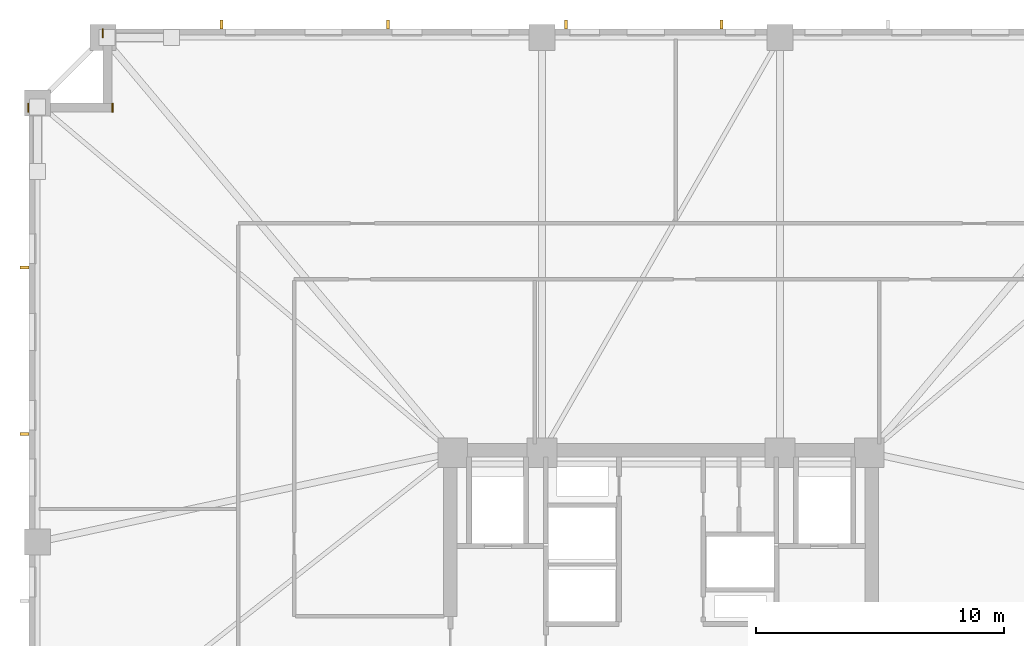
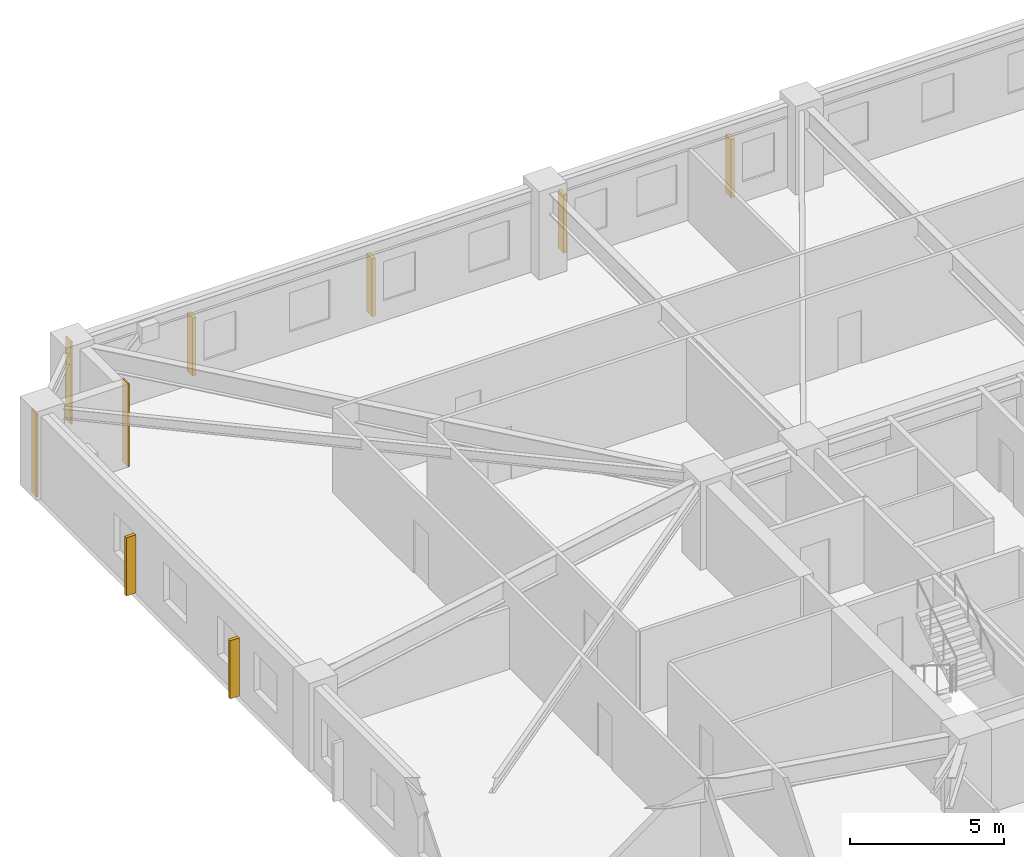
# One storey, part 9 of 10: 6 shading devices, 3 coverings.
"""IFC4 building model written with IfcOpenShell, lengths in metres."""

from ifc_helpers import new_model, si_unit, direction, frame, frame_2d, origin, origin_2d, place, context, subcontext, project, spatial, rectangle, extrude, material, layer, layer_set, type_object, element, save


model = new_model("IFC4")

# Units and contexts
model_context = context("Model", 3, precision=1e-05, world=origin(), true_north=direction((0.0, 1.0)))
body_context = subcontext(model_context, "Body", "Model", "MODEL_VIEW")
ifc_project = project(units=[si_unit("LENGTHUNIT", "METRE"), si_unit("AREAUNIT", "SQUARE_METRE"), si_unit("VOLUMEUNIT", "CUBIC_METRE"), si_unit("PLANEANGLEUNIT", "RADIAN"), si_unit("MASSUNIT", "GRAM", prefix="KILO")], contexts=[model_context])

# Site, building, storey
site_placement = place(None, origin())
site = spatial("IfcSite", under=ifc_project, at=site_placement, CompositionType="ELEMENT")
building_placement = place(site_placement, origin())
building = spatial("IfcBuilding", under=site, at=building_placement, Name="Cairnveth Concourse Tower", CompositionType="ELEMENT")
storey_placement = place(building_placement, frame((0.0, 0.0, 27.0)))
storey = spatial("IfcBuildingStorey", under=building, at=storey_placement, Name="L06", CompositionType="ELEMENT", Elevation=27.0)

# Coverings
ifc_material_1 = material(Name="Dressed Melbourne Bluestone Cladding", Category="masonry")
ifc_layer = layer(ifc_material_1, 0.050048828125)
ifc_layer_set = layer_set([ifc_layer], Name="Dressed Melbourne Bluestone Cladding")
covering_type = type_object("IfcCoveringType", Name="DRESSED BLUESTONE PLINTH CLADDING 50", PredefinedType="CLADDING", material=ifc_layer_set)
for number, where, z_axis, x_axis, name in (
    (1, (26.47998046875, 61.139892578125, 0.0), (0.0, 0.0, 1.0), (0.0, 1.0, 0.0), "Melbourne Bluestone Corner Quoin L06-43"),
    (2, (29.8798828125, 61.139892578125, 0.0), (0.0, 0.0, 1.0), (0.0, 1.0, 0.0), "Melbourne Bluestone Corner Quoin L06-44"),
    (3, (29.47998046875, 64.139892578125, 0.0), (0.0, 0.0, 1.0), (0.0, 1.0, 0.0), "Melbourne Bluestone Corner Quoin L06-45"),
):
    element("IfcCovering", number, at=place(storey_placement, frame(where, z_axis=z_axis, x_axis=x_axis)), inside=storey, type_object=covering_type, Name=name, PredefinedType="CLADDING", context=body_context, shape_type="SweptSolid", body=[
        extrude(rectangle(XDim=0.360107421875, YDim=0.050048828125, at=frame_2d((0.18017578125, 0.0))), origin(), (0.0, 0.0, 1.0), 3.280029296875),
    ])

# Shading devices
ifc_material_2 = material(Name="Architectural Bronze Anodised Aluminium 6063-T6", Category="aluminium")
shading_device_type = type_object("IfcShadingDeviceType", Name="GOTHIC BRONZE VERTICAL LANCET FIN", PredefinedType="USERDEFINED", material=ifc_material_2)
for number, where, z_axis, x_axis, name in (
    (4, (26.324951171875, 48.151611328125, 0.02978515625), (0.0, 0.0, 1.0), (0.0, 1.0, 0.0), "Gothic Bronze Vertical Fin L06-3-9"),
    (5, (26.324951171875, 54.871826171875, 0.02978515625), (0.0, 0.0, 1.0), (0.0, 1.0, 0.0), "Gothic Bronze Vertical Fin L06-3-11"),
    (6, (34.27001953125, 64.675048828125, 0.02978515625), (0.0, 0.0, 1.0), (1.0, 0.0, 0.0), "Gothic Bronze Vertical Fin L06-6-1"),
    (7, (40.990478515625, 64.675048828125, 0.02978515625), (0.0, 0.0, 1.0), (1.0, 0.0, 0.0), "Gothic Bronze Vertical Fin L06-6-3"),
    (8, (48.160888671875, 64.675048828125, 0.02978515625), (0.0, 0.0, 1.0), (1.0, 0.0, 0.0), "Gothic Bronze Vertical Fin L06-6-5"),
    (9, (54.43115234375, 64.675048828125, 0.02978515625), (0.0, 0.0, 1.0), (1.0, 0.0, 0.0), "Gothic Bronze Vertical Fin L06-6-7"),
):
    element("IfcShadingDevice", number, at=place(storey_placement, frame(where, z_axis=z_axis, x_axis=x_axis)), inside=storey, type_object=shading_device_type, Name=name, ObjectType="VERTICAL FIN", PredefinedType="USERDEFINED", context=body_context, shape_type="SweptSolid", body=[
        extrude(rectangle(XDim=0.1201171875, YDim=0.360107421875, at=origin_2d()), origin(), (0.0, 0.0, 1.0), 2.303955078125),
    ])

save(model, "model.ifc")
